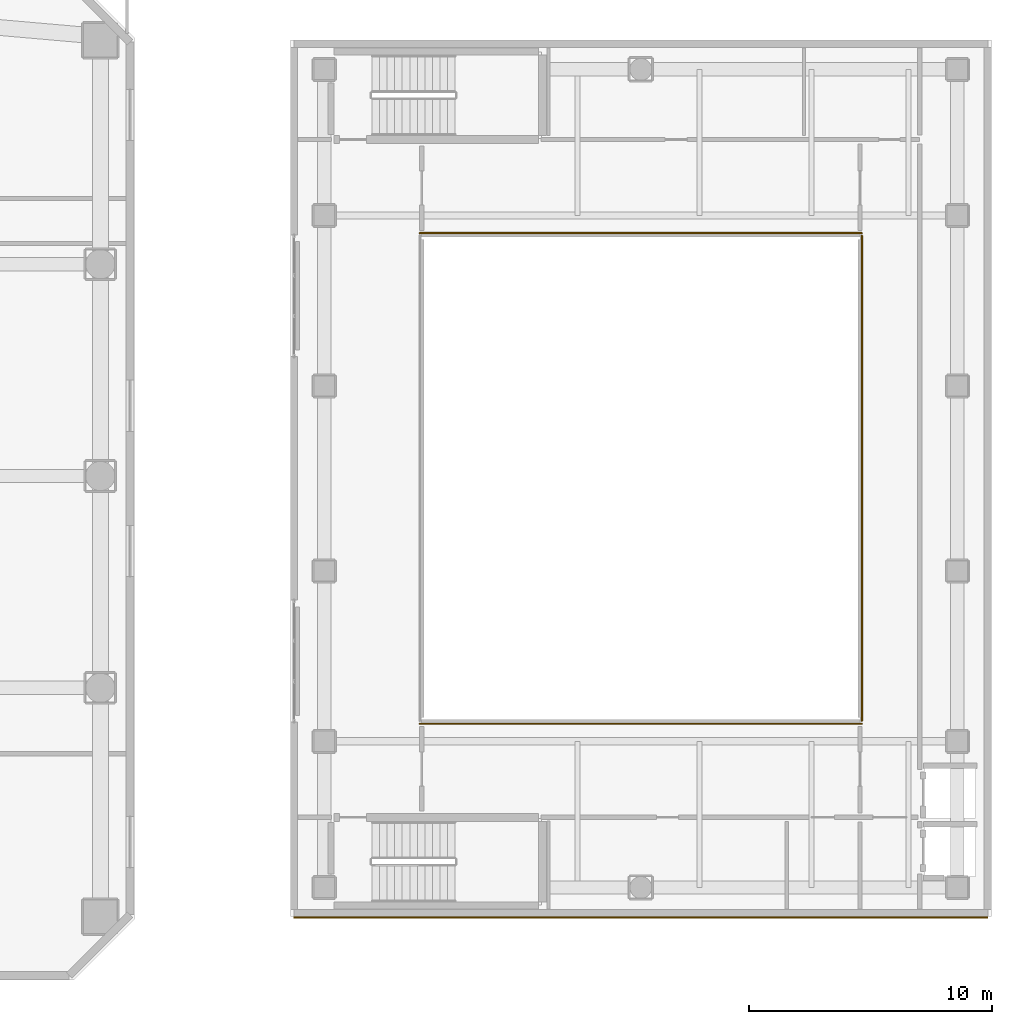
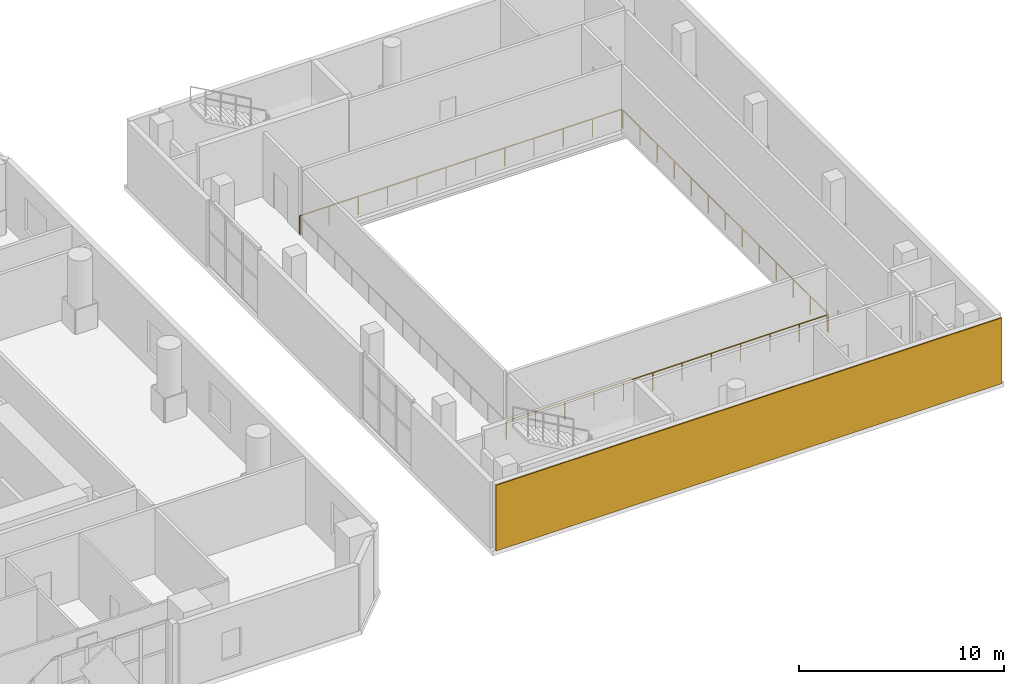
# One storey, part 20 of 20: 3 railings, 1 covering.
"""IFC4 building model written with IfcOpenShell, lengths in metres."""

from ifc_helpers import new_model, si_unit, direction, frame, frame_2d, origin, origin_2d, place, context, subcontext, project, spatial, rectangle, extrude, material, layer, layer_set, type_object, element, save


model = new_model("IFC4")

# Units and contexts
model_context = context("Model", 3, precision=1e-05, world=origin(), true_north=direction((0.0, 1.0)))
body_context = subcontext(model_context, "Body", "Model", "MODEL_VIEW")
ifc_project = project(units=[si_unit("LENGTHUNIT", "METRE"), si_unit("AREAUNIT", "SQUARE_METRE"), si_unit("VOLUMEUNIT", "CUBIC_METRE"), si_unit("PLANEANGLEUNIT", "RADIAN"), si_unit("MASSUNIT", "GRAM", prefix="KILO")], contexts=[model_context])

# Site, building, storey
site_placement = place(None, origin())
site = spatial("IfcSite", under=ifc_project, at=site_placement, CompositionType="ELEMENT")
building_placement = place(site_placement, origin())
building = spatial("IfcBuilding", under=site, at=building_placement, Name="Solanera Arch Residences", CompositionType="ELEMENT")
storey_placement = place(building_placement, frame((0.0, 0.0, 9.39990234375)))
storey = spatial("IfcBuildingStorey", under=building, at=storey_placement, Name="L02", CompositionType="ELEMENT", Elevation=9.39990234375)

# Railings
ifc_material_1 = material(Name="Steel S355 (ASTM A992 / A572 Grade 50)", Category="steel")
railing_type = type_object("IfcRailingType", Name="Balustrade Railing BL-1100", PredefinedType="BALUSTRADE", material=ifc_material_1)
railing_1_placement = place(storey_placement, frame((59.719970703125, 20.52001953125, 0.0)))
element("IfcRailing", 1, at=railing_1_placement, inside=storey, type_object=railing_type, Name="L02 Sports Hall Court Void Guardrail S 1", PredefinedType="BALUSTRADE", context=body_context, shape_type="SweptSolid", body=[
    extrude(rectangle(XDim=0.048095703125, YDim=0.048095703125, at=origin_2d()), frame((0.0, 0.0, 1.09619140625), z_axis=(1.0, 0.0, 0.0), x_axis=(0.0, 1.0, 0.0)), (0.0, 0.0, 1.0), 18.159912109375),
    extrude(rectangle(XDim=0.0419921875, YDim=0.0419921875, at=origin_2d()), origin(), (0.0, 0.0, 1.0), 1.072021484375),
    extrude(rectangle(XDim=0.0419921875, YDim=0.0419921875, at=origin_2d()), frame((1.65087890625, 0.0, 0.0)), (0.0, 0.0, 1.0), 1.072021484375),
    extrude(rectangle(XDim=0.0419921875, YDim=0.0419921875, at=origin_2d()), frame((3.3017578125, 0.0, 0.0)), (0.0, 0.0, 1.0), 1.072021484375),
    extrude(rectangle(XDim=0.0419921875, YDim=0.0419921875, at=origin_2d()), frame((4.95263671875, 0.0, 0.0)), (0.0, 0.0, 1.0), 1.072021484375),
    extrude(rectangle(XDim=0.0419921875, YDim=0.0419921875, at=origin_2d()), frame((6.603515625, 0.0, 0.0)), (0.0, 0.0, 1.0), 1.072021484375),
    extrude(rectangle(XDim=0.0419921875, YDim=0.0419921875, at=origin_2d()), frame((8.25439453125, 0.0, 0.0)), (0.0, 0.0, 1.0), 1.072021484375),
    extrude(rectangle(XDim=0.0419921875, YDim=0.0419921875, at=origin_2d()), frame((9.905517578125, 0.0, 0.0)), (0.0, 0.0, 1.0), 1.072021484375),
    extrude(rectangle(XDim=0.0419921875, YDim=0.0419921875, at=origin_2d()), frame((11.556396484375, 0.0, 0.0)), (0.0, 0.0, 1.0), 1.072021484375),
    extrude(rectangle(XDim=0.0419921875, YDim=0.0419921875, at=origin_2d()), frame((13.207275390625, 0.0, 0.0)), (0.0, 0.0, 1.0), 1.072021484375),
    extrude(rectangle(XDim=0.0419921875, YDim=0.0419921875, at=origin_2d()), frame((14.858154296875, 0.0, 0.0)), (0.0, 0.0, 1.0), 1.072021484375),
    extrude(rectangle(XDim=0.0419921875, YDim=0.0419921875, at=origin_2d()), frame((16.509033203125, 0.0, 0.0)), (0.0, 0.0, 1.0), 1.072021484375),
    extrude(rectangle(XDim=0.0419921875, YDim=0.0419921875, at=origin_2d()), frame((18.159912109375, 0.0, 0.0)), (0.0, 0.0, 1.0), 1.072021484375),
])
railing_2_placement = place(storey_placement, frame((77.8798828125, 20.639892578125, 0.0)))
element("IfcRailing", 2, at=railing_2_placement, inside=storey, type_object=railing_type, Name="L02 Sports Hall Court Void Guardrail E 1", PredefinedType="BALUSTRADE", context=body_context, shape_type="SweptSolid", body=[
    extrude(rectangle(XDim=0.048095703125, YDim=0.048095703125, at=origin_2d()), frame((0.0, 0.0, 1.09619140625), z_axis=(0.0, 1.0, 0.0), x_axis=(-1.0, 0.0, 0.0)), (0.0, 0.0, 1.0), 19.920166015625),
    extrude(rectangle(XDim=0.0419921875, YDim=0.0419921875, at=origin_2d()), origin(), (0.0, 0.0, 1.0), 1.072021484375),
    extrude(rectangle(XDim=0.0419921875, YDim=0.0419921875, at=origin_2d()), frame((0.0, 1.659912109375, 0.0)), (0.0, 0.0, 1.0), 1.072021484375),
    extrude(rectangle(XDim=0.0419921875, YDim=0.0419921875, at=origin_2d()), frame((0.0, 3.320068359375, 0.0)), (0.0, 0.0, 1.0), 1.072021484375),
    extrude(rectangle(XDim=0.0419921875, YDim=0.0419921875, at=origin_2d()), frame((0.0, 4.97998046875, 0.0)), (0.0, 0.0, 1.0), 1.072021484375),
    extrude(rectangle(XDim=0.0419921875, YDim=0.0419921875, at=origin_2d()), frame((0.0, 6.64013671875, 0.0)), (0.0, 0.0, 1.0), 1.072021484375),
    extrude(rectangle(XDim=0.0419921875, YDim=0.0419921875, at=origin_2d()), frame((0.0, 8.300048828125, 0.0)), (0.0, 0.0, 1.0), 1.072021484375),
    extrude(rectangle(XDim=0.0419921875, YDim=0.0419921875, at=origin_2d()), frame((0.0, 9.9599609375, 0.0)), (0.0, 0.0, 1.0), 1.072021484375),
    extrude(rectangle(XDim=0.0419921875, YDim=0.0419921875, at=origin_2d()), frame((0.0, 11.6201171875, 0.0)), (0.0, 0.0, 1.0), 1.072021484375),
    extrude(rectangle(XDim=0.0419921875, YDim=0.0419921875, at=origin_2d()), frame((0.0, 13.280029296875, 0.0)), (0.0, 0.0, 1.0), 1.072021484375),
    extrude(rectangle(XDim=0.0419921875, YDim=0.0419921875, at=origin_2d()), frame((0.0, 14.940185546875, 0.0)), (0.0, 0.0, 1.0), 1.072021484375),
    extrude(rectangle(XDim=0.0419921875, YDim=0.0419921875, at=origin_2d()), frame((0.0, 16.60009765625, 0.0)), (0.0, 0.0, 1.0), 1.072021484375),
    extrude(rectangle(XDim=0.0419921875, YDim=0.0419921875, at=origin_2d()), frame((0.0, 18.26025390625, 0.0)), (0.0, 0.0, 1.0), 1.072021484375),
    extrude(rectangle(XDim=0.0419921875, YDim=0.0419921875, at=origin_2d()), frame((0.0, 19.920166015625, 0.0)), (0.0, 0.0, 1.0), 1.072021484375),
])
railing_3_placement = place(storey_placement, frame((77.8798828125, 40.679931640625, 0.0)))
element("IfcRailing", 3, at=railing_3_placement, inside=storey, type_object=railing_type, Name="L02 Sports Hall Court Void Guardrail N 1", PredefinedType="BALUSTRADE", context=body_context, shape_type="SweptSolid", body=[
    extrude(rectangle(XDim=0.048095703125, YDim=0.048095703125, at=origin_2d()), frame((0.0, 0.0, 1.09619140625), z_axis=(-1.0, 0.0, 0.0), x_axis=(0.0, -1.0, 0.0)), (0.0, 0.0, 1.0), 18.159912109375),
    extrude(rectangle(XDim=0.0419921875, YDim=0.0419921875, at=origin_2d()), origin(), (0.0, 0.0, 1.0), 1.072021484375),
    extrude(rectangle(XDim=0.0419921875, YDim=0.0419921875, at=origin_2d()), frame((-1.65087890625, 0.0, 0.0)), (0.0, 0.0, 1.0), 1.072021484375),
    extrude(rectangle(XDim=0.0419921875, YDim=0.0419921875, at=origin_2d()), frame((-3.3017578125, 0.0, 0.0)), (0.0, 0.0, 1.0), 1.072021484375),
    extrude(rectangle(XDim=0.0419921875, YDim=0.0419921875, at=origin_2d()), frame((-4.95263671875, 0.0, 0.0)), (0.0, 0.0, 1.0), 1.072021484375),
    extrude(rectangle(XDim=0.0419921875, YDim=0.0419921875, at=origin_2d()), frame((-6.603515625, 0.0, 0.0)), (0.0, 0.0, 1.0), 1.072021484375),
    extrude(rectangle(XDim=0.0419921875, YDim=0.0419921875, at=origin_2d()), frame((-8.25439453125, 0.0, 0.0)), (0.0, 0.0, 1.0), 1.072021484375),
    extrude(rectangle(XDim=0.0419921875, YDim=0.0419921875, at=origin_2d()), frame((-9.905517578125, 0.0, 0.0)), (0.0, 0.0, 1.0), 1.072021484375),
    extrude(rectangle(XDim=0.0419921875, YDim=0.0419921875, at=origin_2d()), frame((-11.556396484375, 0.0, 0.0)), (0.0, 0.0, 1.0), 1.072021484375),
    extrude(rectangle(XDim=0.0419921875, YDim=0.0419921875, at=origin_2d()), frame((-13.207275390625, 0.0, 0.0)), (0.0, 0.0, 1.0), 1.072021484375),
    extrude(rectangle(XDim=0.0419921875, YDim=0.0419921875, at=origin_2d()), frame((-14.858154296875, 0.0, 0.0)), (0.0, 0.0, 1.0), 1.072021484375),
    extrude(rectangle(XDim=0.0419921875, YDim=0.0419921875, at=origin_2d()), frame((-16.509033203125, 0.0, 0.0)), (0.0, 0.0, 1.0), 1.072021484375),
    extrude(rectangle(XDim=0.0419921875, YDim=0.0419921875, at=origin_2d()), frame((-18.159912109375, 0.0, 0.0)), (0.0, 0.0, 1.0), 1.072021484375),
])

# Covering
ifc_material_2 = material(Name="Philippine Adobe Travertine Cladding", Category="masonry")
ifc_layer = layer(ifc_material_2, 0.06005859375)
ifc_layer_set = layer_set([ifc_layer], Name="Philippine Adobe Travertine Cladding")
covering_type = type_object("IfcCoveringType", Name="Precast Pier Stone Cladding CLD-60", PredefinedType="CLADDING", material=ifc_layer_set)
covering_placement = place(storey_placement, frame((83.050048828125, 12.570068359375, 0.0), z_axis=(0.0, 0.0, 1.0), x_axis=(-1.0, 0.0, 0.0)))
element("IfcCovering", 4, at=covering_placement, inside=storey, type_object=covering_type, Name="L02 Sports Hall Travertine Cladding S", PredefinedType="CLADDING", context=body_context, shape_type="SweptSolid", body=[
    extrude(rectangle(XDim=28.5, YDim=0.06005859375, at=frame_2d((14.25, 0.0))), origin(), (0.0, 0.0, 1.0), 3.920166015625),
])

save(model, "model.ifc")
